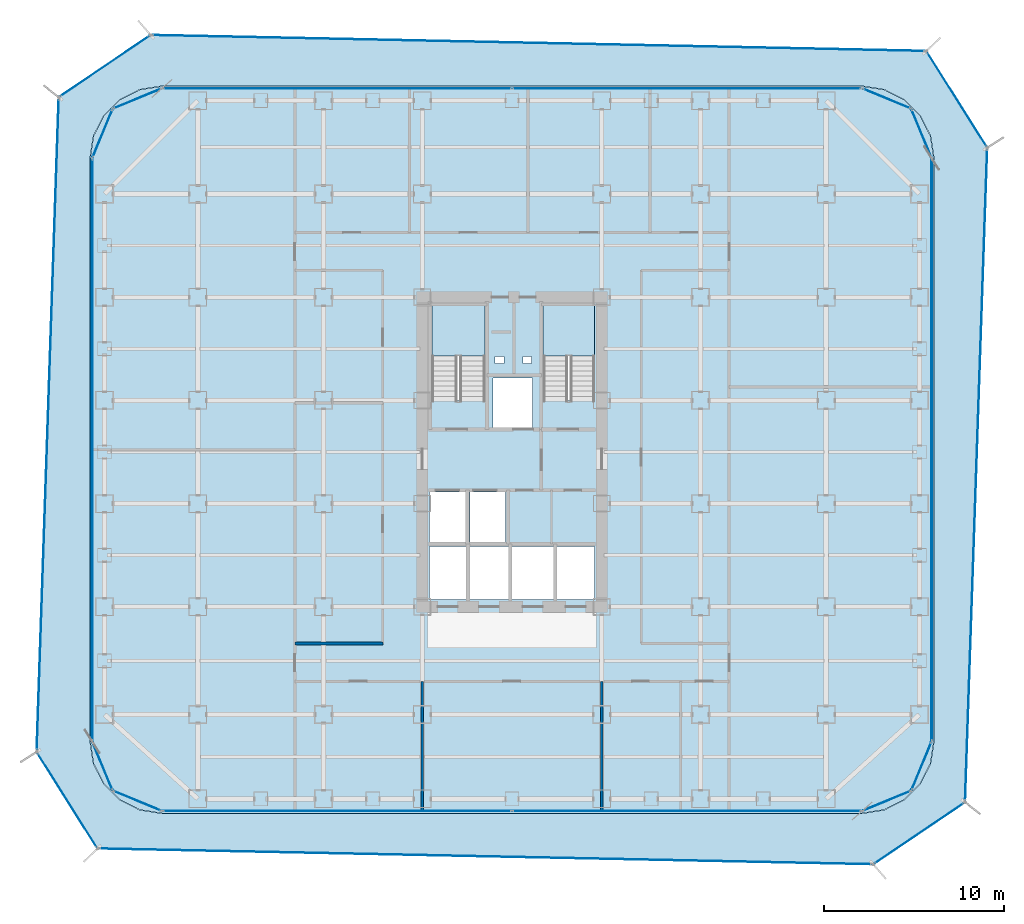
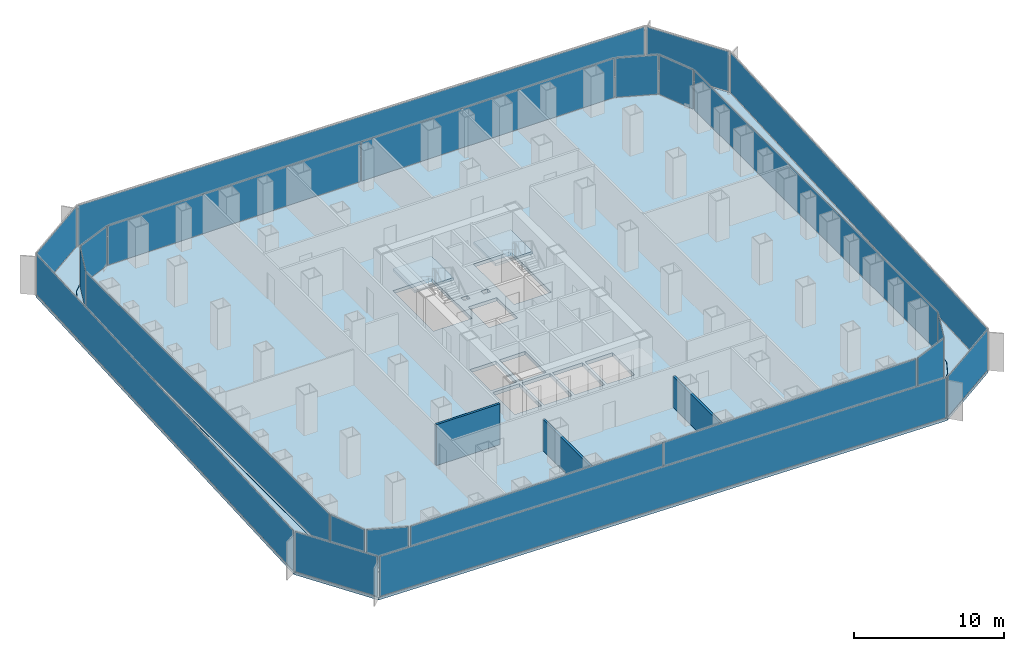
# One storey, part 16 of 21: 22 plates, 4 slabs, 3 walls, 22 elements without a shape of their own.
"""IFC4 building model written with IfcOpenShell, lengths in metres."""

from ifc_helpers import new_model, si_unit, direction, frame, frame_2d, origin, origin_2d, place, context, subcontext, project, spatial, polyline, rectangle, outline, extrude, source, transform, mapped, material, layer, layer_set, type_object, element, aggregate, save


model = new_model("IFC4")

# Units and contexts
model_context = context("Model", 3, precision=1e-05, world=origin(), true_north=direction((0.0, 1.0)))
body_context = subcontext(model_context, "Body", "Model", "MODEL_VIEW")
ifc_project = project(units=[si_unit("LENGTHUNIT", "METRE"), si_unit("AREAUNIT", "SQUARE_METRE"), si_unit("VOLUMEUNIT", "CUBIC_METRE"), si_unit("PLANEANGLEUNIT", "RADIAN"), si_unit("MASSUNIT", "GRAM", prefix="KILO")], contexts=[model_context])

# Site, building, storey
site_placement = place(None, origin())
site = spatial("IfcSite", under=ifc_project, at=site_placement, CompositionType="ELEMENT")
building_placement = place(site_placement, origin())
building = spatial("IfcBuilding", under=site, at=building_placement, Name="Kolveth Station Tower", CompositionType="ELEMENT")
storey_placement = place(building_placement, frame((0.0, 0.0, 29.699951171875)))
storey = spatial("IfcBuildingStorey", under=building, at=storey_placement, Name="L07", CompositionType="ELEMENT", Elevation=29.699951171875)

# Slab
ifc_material_1 = material(Name="Concrete C45/55", Category="concrete")
ifc_layer_1 = layer(ifc_material_1, 0.280029296875)
ifc_layer_set_1 = layer_set([ifc_layer_1], Name="Concrete C45/55")
slab_type_1 = type_object("IfcSlabType", Name="Slab_SF-280", PredefinedType="FLOOR", material=ifc_layer_set_1)
slab_1_placement = place(storey_placement, frame((0.0, 0.0, -0.280029296875)))
element("IfcSlab", 1, at=slab_1_placement, inside=storey, type_object=slab_type_1, Name="L07 Tower Structural Floor Slab", PredefinedType="FLOOR", context=body_context, shape_type="SweptSolid", body=[
    extrude(outline(polyline([(43.0, 0.0), (44.236083984375, 0.19580078125), (45.35107421875, 0.763916015625), (46.236083984375, 1.64892578125), (46.80419921875, 2.763916015625), (47.0, 4.0), (47.0, 36.5), (46.80419921875, 37.736083984375), (46.236083984375, 38.85107421875), (45.35107421875, 39.736083984375), (44.236083984375, 40.30419921875), (43.0, 40.5), (4.0, 40.5), (2.763916015625, 40.30419921875), (1.64892578125, 39.736083984375), (0.763916015625, 38.85107421875), (0.19580078125, 37.736083984375), (0.0, 36.5), (0.0, 4.0), (0.19580078125, 2.763916015625), (0.763916015625, 1.64892578125), (1.64892578125, 0.763916015625), (2.763916015625, 0.19580078125), (4.0, 0.0), (43.0, 0.0)]), holes=[polyline([(19.0400390625, 22.985107421875), (22.0, 22.985107421875), (22.0, 28.39990234375), (19.0400390625, 28.39990234375), (19.0400390625, 22.985107421875)]), polyline([(25.239990234375, 22.985107421875), (28.10009765625, 22.985107421875), (28.10009765625, 28.39990234375), (25.239990234375, 28.39990234375), (25.239990234375, 22.985107421875)]), polyline([(18.89990234375, 15.10009765625), (20.89990234375, 15.10009765625), (20.89990234375, 17.89990234375), (18.89990234375, 17.89990234375), (18.89990234375, 15.10009765625)]), polyline([(21.14990234375, 15.10009765625), (23.14990234375, 15.10009765625), (23.14990234375, 17.89990234375), (21.14990234375, 17.89990234375), (21.14990234375, 15.10009765625)]), polyline([(22.449951171875, 21.5), (24.64990234375, 21.5), (24.64990234375, 24.25), (22.449951171875, 24.25), (22.449951171875, 21.5)]), polyline([(18.89990234375, 11.89990234375), (20.949951171875, 11.89990234375), (20.949951171875, 14.85009765625), (18.89990234375, 14.85009765625), (18.89990234375, 11.89990234375)]), polyline([(21.14990234375, 11.89990234375), (23.300048828125, 11.89990234375), (23.300048828125, 14.85009765625), (21.14990234375, 14.85009765625), (21.14990234375, 11.89990234375)]), polyline([(23.5, 11.89990234375), (25.800048828125, 11.89990234375), (25.800048828125, 14.85009765625), (23.5, 14.85009765625), (23.5, 11.89990234375)]), polyline([(26.0, 11.89990234375), (28.10009765625, 11.89990234375), (28.10009765625, 14.85009765625), (26.0, 14.85009765625), (26.0, 11.89990234375)]), polyline([(22.550048828125, 25.050048828125), (23.050048828125, 25.050048828125), (23.050048828125, 25.449951171875), (22.550048828125, 25.449951171875), (22.550048828125, 25.050048828125)]), polyline([(24.10009765625, 25.050048828125), (24.60009765625, 25.050048828125), (24.60009765625, 25.449951171875), (24.10009765625, 25.449951171875), (24.10009765625, 25.050048828125)])]), origin(), (0.0, 0.0, 1.0), 0.280029296875),
])

# Stair, slab
ifc_material_2 = material(Name="Concrete C40/50", Category="concrete")
stair_type_1 = type_object("IfcStairType", Name="Stair_ST2", PredefinedType="HALF_TURN_STAIR", material=ifc_material_2)
stair_1_placement = place(storey_placement, origin())
stair_1 = element("IfcStair", 2, at=stair_1_placement, inside=storey, type_object=stair_type_1, Name="L07 Tower Exit Stair ST2", PredefinedType="HALF_TURN_STAIR")
ifc_layer_2 = layer(ifc_material_2, 0.18994140625)
ifc_layer_set_2 = layer_set([ifc_layer_2], Name="Concrete C40/50")
slab_type_2 = type_object("IfcSlabType", Name="Slab_SL-190", PredefinedType="LANDING", material=ifc_layer_set_2)
slab_2_placement = place(storey_placement, frame((0.0, 0.0, 1.60009765625)))
slab_2 = element("IfcSlab", 3, at=slab_2_placement, type_object=slab_type_2, Name="ST2 landing 1", PredefinedType="LANDING", context=body_context, shape_type="SweptSolid", body=[
    extrude(outline(polyline([(28.10009765625, 25.469970703125), (28.10009765625, 28.39990234375), (25.239990234375, 28.39990234375), (25.239990234375, 25.469970703125), (28.10009765625, 25.469970703125)])), origin(), (0.0, 0.0, 1.0), 0.199951171875),
])
aggregate(stair_1, [slab_2])

stair_type_2 = type_object("IfcStairType", Name="Stair_ST1", PredefinedType="HALF_TURN_STAIR", material=ifc_material_2)
stair_2_placement = place(storey_placement, origin())
stair_2 = element("IfcStair", 4, at=stair_2_placement, inside=storey, type_object=stair_type_2, Name="L07 Tower Exit Stair ST1", PredefinedType="HALF_TURN_STAIR")
ifc_layer_3 = layer(ifc_material_2, 0.205078125)
ifc_layer_set_3 = layer_set([ifc_layer_3], Name="Concrete C40/50")
slab_type_3 = type_object("IfcSlabType", Name="Slab_SL-205", PredefinedType="LANDING", material=ifc_layer_set_3)
slab_3_placement = place(storey_placement, frame((0.0, 0.0, 1.60009765625)))
slab_3 = element("IfcSlab", 5, at=slab_3_placement, type_object=slab_type_3, Name="ST1 landing 1", PredefinedType="LANDING", context=body_context, shape_type="SweptSolid", body=[
    extrude(outline(polyline([(22.0, 25.469970703125), (22.0, 28.39990234375), (19.0400390625, 28.39990234375), (19.0400390625, 25.469970703125), (22.0, 25.469970703125)])), origin(), (0.0, 0.0, 1.0), 0.199951171875),
])
aggregate(stair_2, [slab_3])

# Slab
ifc_layer_4 = layer(ifc_material_2, 0.2099609375)
ifc_layer_set_4 = layer_set([ifc_layer_4], Name="Concrete C40/50")
slab_type_4 = type_object("IfcSlabType", Name="Slab_ST-210", PredefinedType="FLOOR", material=ifc_layer_set_4)
slab_4_placement = place(storey_placement, frame((0.0, 0.0, -0.2099609375)))
element("IfcSlab", 6, at=slab_4_placement, inside=storey, type_object=slab_type_4, Name="L07 Double-Skin Cavity Structural Ledger Ring", PredefinedType="FLOOR", context=body_context, shape_type="SweptSolid", body=[
    extrude(outline(polyline([(0.4111328125, -1.96630859375), (-2.977294921875, 3.41650390625), (-1.74658203125, 39.888916015625), (3.373779296875, 43.35107421875), (46.58544921875, 42.46044921875), (49.977294921875, 37.08349609375), (48.7412109375, 0.614013671875), (43.62548828125, -2.84521484375), (0.4111328125, -1.96630859375)]), holes=[polyline([(43.002197265625, -0.014892578125), (44.23828125, 0.180908203125), (44.242919921875, 0.182373046875), (45.35791015625, 0.75048828125), (45.36181640625, 0.75341796875), (46.24658203125, 1.63818359375), (46.24951171875, 1.64208984375), (46.817626953125, 2.757080078125), (46.819091796875, 2.76171875), (47.014892578125, 3.997802734375), (47.014892578125, 4.0), (47.014892578125, 36.5), (47.014892578125, 36.502197265625), (46.819091796875, 37.73828125), (46.817626953125, 37.742919921875), (46.24951171875, 38.85791015625), (46.24658203125, 38.86181640625), (45.36181640625, 39.74658203125), (45.35791015625, 39.74951171875), (44.242919921875, 40.317626953125), (44.23828125, 40.319091796875), (43.002197265625, 40.514892578125), (43.0, 40.514892578125), (4.0, 40.514892578125), (3.997802734375, 40.514892578125), (2.76171875, 40.319091796875), (2.757080078125, 40.317626953125), (1.64208984375, 39.74951171875), (1.63818359375, 39.74658203125), (0.75341796875, 38.86181640625), (0.75048828125, 38.85791015625), (0.182373046875, 37.742919921875), (0.180908203125, 37.73828125), (-0.014892578125, 36.502197265625), (-0.014892578125, 36.5), (-0.014892578125, 4.0), (-0.014892578125, 3.997802734375), (0.180908203125, 2.76171875), (0.182373046875, 2.757080078125), (0.75048828125, 1.64208984375), (0.75341796875, 1.63818359375), (1.63818359375, 0.75341796875), (1.64208984375, 0.75048828125), (2.757080078125, 0.182373046875), (2.76171875, 0.180908203125), (3.997802734375, -0.014892578125), (4.0, -0.014892578125), (43.0, -0.014892578125), (43.002197265625, -0.014892578125)])]), origin(), (0.0, 0.0, 1.0), 0.2099609375),
])

# Curtain wall, plate
ifc_material_3 = material(Name="Aluminium 6063-T6 and low-E dark glass", Category="aluminium")
ifc_layer_5 = layer(ifc_material_3, 0.179931640625)
ifc_layer_set_5 = layer_set([ifc_layer_5], Name="Aluminium 6063-T6 and low-E dark glass")
curtain_wall_type_1 = type_object("IfcCurtainWallType", Name="CurtainWall_CW-Z1", PredefinedType="NOTDEFINED", material=ifc_layer_set_5)
curtain_wall_1_placement = place(storey_placement, origin())
curtain_wall_1 = element("IfcCurtainWall", 7, at=curtain_wall_1_placement, inside=storey, type_object=curtain_wall_type_1, Name="L07 Inner Thermal Curtain Wall 1", PredefinedType="NOTDEFINED")
ifc_material_4 = material(Name="Architectural low-E dark glass", Category="glass")
ifc_layer_6 = layer(ifc_material_4, 0.035888671875)
ifc_layer_set_6 = layer_set([ifc_layer_6], Name="Architectural low-E dark glass")
plate_type_1 = type_object("IfcPlateType", Name="Panel_GL1", PredefinedType="CURTAIN_PANEL", material=ifc_layer_set_6)
shared_shape_1 = source(origin(), body_context, "Body", "SweptSolid", [
    extrude(rectangle(XDim=2.83349609375, YDim=0.035888671875, at=origin_2d()), origin(), (0.0, 0.0, 1.0), 3.18408203125),
])
plate_1_placement = place(storey_placement, frame((44.371826171875, 0.688232421875, 0.068115234375), z_axis=(0.0, 0.0, 1.0), x_axis=(0.923883857728, 0.382672990201, 0.0)))
plate_1 = element("IfcPlate", 8, at=plate_1_placement, type_object=plate_type_1, Name="CW-Z1 panel 1.1", PredefinedType="CURTAIN_PANEL", context=body_context, shape_type="MappedRepresentation", body=[
    mapped(shared_shape_1, transform((0.0, 0.0, 0.0), x_axis=(1.0, 0.0, 0.0), y_axis=(0.0, 1.0, 0.0), z_axis=(0.0, 0.0, 1.0), scale=1.0)),
])
aggregate(curtain_wall_1, [plate_1])

curtain_wall_2_placement = place(storey_placement, origin())
curtain_wall_2 = element("IfcCurtainWall", 9, at=curtain_wall_2_placement, inside=storey, type_object=curtain_wall_type_1, Name="L07 Inner Thermal Curtain Wall 2", PredefinedType="NOTDEFINED")
plate_2_placement = place(storey_placement, frame((46.311767578125, 2.628173828125, 0.068115234375), z_axis=(0.0, 0.0, 1.0), x_axis=(0.382672990201, 0.923883857728, 0.0)))
plate_2 = element("IfcPlate", 10, at=plate_2_placement, type_object=plate_type_1, Name="CW-Z1 panel 1.1", PredefinedType="CURTAIN_PANEL", context=body_context, shape_type="MappedRepresentation", body=[
    mapped(shared_shape_1, transform((0.0, 0.0, 0.0), x_axis=(1.0, 0.0, 0.0), y_axis=(0.0, 1.0, 0.0), z_axis=(0.0, 0.0, 1.0), scale=1.0)),
])
aggregate(curtain_wall_2, [plate_2])

curtain_wall_3_placement = place(storey_placement, origin())
curtain_wall_3 = element("IfcCurtainWall", 11, at=curtain_wall_3_placement, inside=storey, type_object=curtain_wall_type_1, Name="L07 Inner Thermal Curtain Wall 4", PredefinedType="NOTDEFINED")
plate_3_placement = place(storey_placement, frame((46.311767578125, 37.871826171875, 0.068115234375), z_axis=(0.0, 0.0, 1.0), x_axis=(-0.382672990201, 0.923883857728, 0.0)))
plate_3 = element("IfcPlate", 12, at=plate_3_placement, type_object=plate_type_1, Name="CW-Z1 panel 1.1", PredefinedType="CURTAIN_PANEL", context=body_context, shape_type="MappedRepresentation", body=[
    mapped(shared_shape_1, transform((0.0, 0.0, 0.0), x_axis=(1.0, 0.0, 0.0), y_axis=(0.0, 1.0, 0.0), z_axis=(0.0, 0.0, 1.0), scale=1.0)),
])
aggregate(curtain_wall_3, [plate_3])

curtain_wall_4_placement = place(storey_placement, origin())
curtain_wall_4 = element("IfcCurtainWall", 13, at=curtain_wall_4_placement, inside=storey, type_object=curtain_wall_type_1, Name="L07 Inner Thermal Curtain Wall 5", PredefinedType="NOTDEFINED")
plate_4_placement = place(storey_placement, frame((44.371826171875, 39.811767578125, 0.068115234375), z_axis=(0.0, 0.0, 1.0), x_axis=(-0.923883857728, 0.382672990201, 0.0)))
plate_4 = element("IfcPlate", 14, at=plate_4_placement, type_object=plate_type_1, Name="CW-Z1 panel 1.1", PredefinedType="CURTAIN_PANEL", context=body_context, shape_type="MappedRepresentation", body=[
    mapped(shared_shape_1, transform((0.0, 0.0, 0.0), x_axis=(1.0, 0.0, 0.0), y_axis=(0.0, 1.0, 0.0), z_axis=(0.0, 0.0, 1.0), scale=1.0)),
])
aggregate(curtain_wall_4, [plate_4])

curtain_wall_5_placement = place(storey_placement, origin())
curtain_wall_5 = element("IfcCurtainWall", 15, at=curtain_wall_5_placement, inside=storey, type_object=curtain_wall_type_1, Name="L07 Inner Thermal Curtain Wall 7", PredefinedType="NOTDEFINED")
plate_5_placement = place(storey_placement, frame((2.628173828125, 39.811767578125, 0.068115234375), z_axis=(0.0, 0.0, 1.0), x_axis=(-0.923883857728, -0.382672990201, 0.0)))
plate_5 = element("IfcPlate", 16, at=plate_5_placement, type_object=plate_type_1, Name="CW-Z1 panel 1.1", PredefinedType="CURTAIN_PANEL", context=body_context, shape_type="MappedRepresentation", body=[
    mapped(shared_shape_1, transform((0.0, 0.0, 0.0), x_axis=(1.0, 0.0, 0.0), y_axis=(0.0, 1.0, 0.0), z_axis=(0.0, 0.0, 1.0), scale=1.0)),
])
aggregate(curtain_wall_5, [plate_5])

curtain_wall_6_placement = place(storey_placement, origin())
curtain_wall_6 = element("IfcCurtainWall", 17, at=curtain_wall_6_placement, inside=storey, type_object=curtain_wall_type_1, Name="L07 Inner Thermal Curtain Wall 8", PredefinedType="NOTDEFINED")
plate_6_placement = place(storey_placement, frame((0.688232421875, 37.871826171875, 0.068115234375), z_axis=(0.0, 0.0, 1.0), x_axis=(-0.382672990201, -0.923883857728, 0.0)))
plate_6 = element("IfcPlate", 18, at=plate_6_placement, type_object=plate_type_1, Name="CW-Z1 panel 1.1", PredefinedType="CURTAIN_PANEL", context=body_context, shape_type="MappedRepresentation", body=[
    mapped(shared_shape_1, transform((0.0, 0.0, 0.0), x_axis=(1.0, 0.0, 0.0), y_axis=(0.0, 1.0, 0.0), z_axis=(0.0, 0.0, 1.0), scale=1.0)),
])
aggregate(curtain_wall_6, [plate_6])

curtain_wall_7_placement = place(storey_placement, origin())
curtain_wall_7 = element("IfcCurtainWall", 19, at=curtain_wall_7_placement, inside=storey, type_object=curtain_wall_type_1, Name="L07 Inner Thermal Curtain Wall 10", PredefinedType="NOTDEFINED")
plate_7_placement = place(storey_placement, frame((0.688232421875, 2.628173828125, 0.068115234375), z_axis=(0.0, 0.0, 1.0), x_axis=(0.382672990201, -0.923883857728, 0.0)))
plate_7 = element("IfcPlate", 20, at=plate_7_placement, type_object=plate_type_1, Name="CW-Z1 panel 1.1", PredefinedType="CURTAIN_PANEL", context=body_context, shape_type="MappedRepresentation", body=[
    mapped(shared_shape_1, transform((0.0, 0.0, 0.0), x_axis=(1.0, 0.0, 0.0), y_axis=(0.0, 1.0, 0.0), z_axis=(0.0, 0.0, 1.0), scale=1.0)),
])
aggregate(curtain_wall_7, [plate_7])

curtain_wall_8_placement = place(storey_placement, origin())
curtain_wall_8 = element("IfcCurtainWall", 21, at=curtain_wall_8_placement, inside=storey, type_object=curtain_wall_type_1, Name="L07 Inner Thermal Curtain Wall 11", PredefinedType="NOTDEFINED")
plate_8_placement = place(storey_placement, frame((2.628173828125, 0.688232421875, 0.068115234375), z_axis=(0.0, 0.0, 1.0), x_axis=(0.923883857728, -0.382672990201, 0.0)))
plate_8 = element("IfcPlate", 22, at=plate_8_placement, type_object=plate_type_1, Name="CW-Z1 panel 1.1", PredefinedType="CURTAIN_PANEL", context=body_context, shape_type="MappedRepresentation", body=[
    mapped(shared_shape_1, transform((0.0, 0.0, 0.0), x_axis=(1.0, 0.0, 0.0), y_axis=(0.0, 1.0, 0.0), z_axis=(0.0, 0.0, 1.0), scale=1.0)),
])
aggregate(curtain_wall_8, [plate_8])

curtain_wall_9_placement = place(storey_placement, origin())
curtain_wall_9 = element("IfcCurtainWall", 23, at=curtain_wall_9_placement, inside=storey, type_object=curtain_wall_type_1, Name="L07 Inner Thermal Curtain Wall 3", PredefinedType="NOTDEFINED")
shared_shape_2 = source(origin(), body_context, "Body", "SweptSolid", [
    extrude(rectangle(XDim=32.364013671875, YDim=0.035888671875, at=origin_2d()), origin(), (0.0, 0.0, 1.0), 3.18408203125),
])
plate_9_placement = place(storey_placement, frame((46.8798828125, 20.25, 0.068115234375), z_axis=(0.0, 0.0, 1.0), x_axis=(0.0, 1.0, 0.0)))
plate_9 = element("IfcPlate", 24, at=plate_9_placement, type_object=plate_type_1, Name="CW-Z1 panel 1.1", PredefinedType="CURTAIN_PANEL", context=body_context, shape_type="MappedRepresentation", body=[
    mapped(shared_shape_2, transform((0.0, 0.0, 0.0), x_axis=(1.0, 0.0, 0.0), y_axis=(0.0, 1.0, 0.0), z_axis=(0.0, 0.0, 1.0), scale=1.0)),
])
aggregate(curtain_wall_9, [plate_9])

curtain_wall_10_placement = place(storey_placement, origin())
curtain_wall_10 = element("IfcCurtainWall", 25, at=curtain_wall_10_placement, inside=storey, type_object=curtain_wall_type_1, Name="L07 Inner Thermal Curtain Wall 9", PredefinedType="NOTDEFINED")
plate_10_placement = place(storey_placement, frame((0.1201171875, 20.25, 0.068115234375), z_axis=(0.0, 0.0, 1.0), x_axis=(0.0, -1.0, 0.0)))
plate_10 = element("IfcPlate", 26, at=plate_10_placement, type_object=plate_type_1, Name="CW-Z1 panel 1.1", PredefinedType="CURTAIN_PANEL", context=body_context, shape_type="MappedRepresentation", body=[
    mapped(shared_shape_2, transform((0.0, 0.0, 0.0), x_axis=(1.0, 0.0, 0.0), y_axis=(0.0, 1.0, 0.0), z_axis=(0.0, 0.0, 1.0), scale=1.0)),
])
aggregate(curtain_wall_10, [plate_10])

# Curtain wall, plates
curtain_wall_11_placement = place(storey_placement, origin())
curtain_wall_11 = element("IfcCurtainWall", 27, at=curtain_wall_11_placement, inside=storey, type_object=curtain_wall_type_1, Name="L07 Inner Thermal Curtain Wall 6", PredefinedType="NOTDEFINED")
shared_shape_3 = source(origin(), body_context, "Body", "SweptSolid", [
    extrude(rectangle(XDim=19.401611328125, YDim=0.035888671875, at=origin_2d()), origin(), (0.0, 0.0, 1.0), 3.18408203125),
])
plate_11_placement = place(storey_placement, frame((33.231201171875, 40.3798828125, 0.068115234375), z_axis=(0.0, 0.0, 1.0), x_axis=(-1.0, 0.0, 0.0)))
plate_11 = element("IfcPlate", 28, at=plate_11_placement, type_object=plate_type_1, Name="CW-Z1 panel 1.1", PredefinedType="CURTAIN_PANEL", context=body_context, shape_type="MappedRepresentation", body=[
    mapped(shared_shape_3, transform((0.0, 0.0, 0.0), x_axis=(1.0, 0.0, 0.0), y_axis=(0.0, 1.0, 0.0), z_axis=(0.0, 0.0, 1.0), scale=1.0)),
])
plate_12_placement = place(storey_placement, frame((13.768798828125, 40.3798828125, 0.068115234375), z_axis=(0.0, 0.0, 1.0), x_axis=(-1.0, 0.0, 0.0)))
plate_12 = element("IfcPlate", 29, at=plate_12_placement, type_object=plate_type_1, Name="CW-Z1 panel 2.1", PredefinedType="CURTAIN_PANEL", context=body_context, shape_type="MappedRepresentation", body=[
    mapped(shared_shape_3, transform((0.0, 0.0, 0.0), x_axis=(1.0, 0.0, 0.0), y_axis=(0.0, 1.0, 0.0), z_axis=(0.0, 0.0, 1.0), scale=1.0)),
])
aggregate(curtain_wall_11, [plate_11, plate_12])

curtain_wall_12_placement = place(storey_placement, origin())
curtain_wall_12 = element("IfcCurtainWall", 30, at=curtain_wall_12_placement, inside=storey, type_object=curtain_wall_type_1, Name="L07 Inner Thermal Curtain Wall 12", PredefinedType="NOTDEFINED")
plate_13_placement = place(storey_placement, frame((13.768798828125, 0.1201171875, 0.068115234375), z_axis=(0.0, 0.0, 1.0), x_axis=(1.0, 0.0, 0.0)))
plate_13 = element("IfcPlate", 31, at=plate_13_placement, type_object=plate_type_1, Name="CW-Z1 panel 1.1", PredefinedType="CURTAIN_PANEL", context=body_context, shape_type="MappedRepresentation", body=[
    mapped(shared_shape_3, transform((0.0, 0.0, 0.0), x_axis=(1.0, 0.0, 0.0), y_axis=(0.0, 1.0, 0.0), z_axis=(0.0, 0.0, 1.0), scale=1.0)),
])
plate_14_placement = place(storey_placement, frame((33.231201171875, 0.1201171875, 0.068115234375), z_axis=(0.0, 0.0, 1.0), x_axis=(1.0, 0.0, 0.0)))
plate_14 = element("IfcPlate", 32, at=plate_14_placement, type_object=plate_type_1, Name="CW-Z1 panel 2.1", PredefinedType="CURTAIN_PANEL", context=body_context, shape_type="MappedRepresentation", body=[
    mapped(shared_shape_3, transform((0.0, 0.0, 0.0), x_axis=(1.0, 0.0, 0.0), y_axis=(0.0, 1.0, 0.0), z_axis=(0.0, 0.0, 1.0), scale=1.0)),
])
aggregate(curtain_wall_12, [plate_13, plate_14])

# Curtain wall, plate
ifc_material_5 = material(Name="Black anodized aluminium 6063-T6 and dark solar glass", Category="aluminium")
ifc_layer_7 = layer(ifc_material_5, 0.159912109375)
ifc_layer_set_7 = layer_set([ifc_layer_7], Name="Black anodized aluminium 6063-T6 and dark solar glass")
curtain_wall_type_2 = type_object("IfcCurtainWallType", Name="OUTER SKIN CW-OS", PredefinedType="NOTDEFINED", material=ifc_layer_set_7)
curtain_wall_13_placement = place(storey_placement, origin())
curtain_wall_13 = element("IfcCurtainWall", 33, at=curtain_wall_13_placement, inside=storey, type_object=curtain_wall_type_2, Name="L07 Outer Ventilated Skin Curtain Wall 1", PredefinedType="NOTDEFINED")
ifc_layer_8 = layer(ifc_material_4, 0.028076171875)
ifc_layer_set_8 = layer_set([ifc_layer_8], Name="Architectural low-E dark glass")
plate_type_2 = type_object("IfcPlateType", Name="Panel_GL-OS", PredefinedType="CURTAIN_PANEL", material=ifc_layer_set_8)
shared_shape_4 = source(origin(), body_context, "Body", "SweptSolid", [
    extrude(rectangle(XDim=6.009521484375, YDim=0.028076171875, at=origin_2d()), origin(), (0.0, 0.0, 1.0), 3.243896484375),
])
plate_15_placement = place(storey_placement, frame((46.183349609375, -1.11572265625, 0.0732421875), z_axis=(0.0, 0.0, 1.0), x_axis=(0.828387724159, 0.560155137852, 0.0)))
plate_15 = element("IfcPlate", 34, at=plate_15_placement, type_object=plate_type_2, Name="CW-OS panel 1.1", PredefinedType="CURTAIN_PANEL", context=body_context, shape_type="MappedRepresentation", body=[
    mapped(shared_shape_4, transform((0.0, 0.0, 0.0), x_axis=(1.0, 0.0, 0.0), y_axis=(0.0, 1.0, 0.0), z_axis=(0.0, 0.0, 1.0), scale=1.0)),
])
aggregate(curtain_wall_13, [plate_15])

curtain_wall_14_placement = place(storey_placement, origin())
curtain_wall_14 = element("IfcCurtainWall", 35, at=curtain_wall_14_placement, inside=storey, type_object=curtain_wall_type_2, Name="L07 Outer Ventilated Skin Curtain Wall 2", PredefinedType="NOTDEFINED")
shared_shape_5 = source(origin(), body_context, "Body", "SweptSolid", [
    extrude(rectangle(XDim=36.32421875, YDim=0.028076171875, at=origin_2d()), origin(), (0.0, 0.0, 1.0), 3.243896484375),
])
plate_16_placement = place(storey_placement, frame((49.359375, 18.8486328125, 0.0732421875), z_axis=(0.0, 0.0, 1.0), x_axis=(0.033874716513, 0.999426087103, 0.0)))
plate_16 = element("IfcPlate", 36, at=plate_16_placement, type_object=plate_type_2, Name="CW-OS panel 1.1", PredefinedType="CURTAIN_PANEL", context=body_context, shape_type="MappedRepresentation", body=[
    mapped(shared_shape_5, transform((0.0, 0.0, 0.0), x_axis=(1.0, 0.0, 0.0), y_axis=(0.0, 1.0, 0.0), z_axis=(0.0, 0.0, 1.0), scale=1.0)),
])
aggregate(curtain_wall_14, [plate_16])

curtain_wall_15_placement = place(storey_placement, origin())
curtain_wall_15 = element("IfcCurtainWall", 37, at=curtain_wall_15_placement, inside=storey, type_object=curtain_wall_type_2, Name="L07 Outer Ventilated Skin Curtain Wall 3", PredefinedType="NOTDEFINED")
shared_shape_6 = source(origin(), body_context, "Body", "SweptSolid", [
    extrude(rectangle(XDim=6.19140625, YDim=0.028076171875, at=origin_2d()), origin(), (0.0, 0.0, 1.0), 3.243896484375),
])
plate_17_placement = place(storey_placement, frame((48.281494140625, 39.77197265625, 0.0732421875), z_axis=(0.0, 0.0, 1.0), x_axis=(-0.533524797003, 0.845784423469, 0.0)))
plate_17 = element("IfcPlate", 38, at=plate_17_placement, type_object=plate_type_2, Name="CW-OS panel 1.1", PredefinedType="CURTAIN_PANEL", context=body_context, shape_type="MappedRepresentation", body=[
    mapped(shared_shape_6, transform((0.0, 0.0, 0.0), x_axis=(1.0, 0.0, 0.0), y_axis=(0.0, 1.0, 0.0), z_axis=(0.0, 0.0, 1.0), scale=1.0)),
])
aggregate(curtain_wall_15, [plate_17])

curtain_wall_16_placement = place(storey_placement, origin())
curtain_wall_16 = element("IfcCurtainWall", 39, at=curtain_wall_16_placement, inside=storey, type_object=curtain_wall_type_2, Name="L07 Outer Ventilated Skin Curtain Wall 4", PredefinedType="NOTDEFINED")
shared_shape_7 = source(origin(), body_context, "Body", "SweptSolid", [
    extrude(rectangle(XDim=43.054931640625, YDim=0.028076171875, at=origin_2d()), origin(), (0.0, 0.0, 1.0), 3.243896484375),
])
plate_18_placement = place(storey_placement, frame((24.9794921875, 42.90576171875, 0.0732421875), z_axis=(0.0, 0.0, 1.0), x_axis=(-0.999787679299, 0.020605735172, 0.0)))
plate_18 = element("IfcPlate", 40, at=plate_18_placement, type_object=plate_type_2, Name="CW-OS panel 1.1", PredefinedType="CURTAIN_PANEL", context=body_context, shape_type="MappedRepresentation", body=[
    mapped(shared_shape_7, transform((0.0, 0.0, 0.0), x_axis=(1.0, 0.0, 0.0), y_axis=(0.0, 1.0, 0.0), z_axis=(0.0, 0.0, 1.0), scale=1.0)),
])
aggregate(curtain_wall_16, [plate_18])

curtain_wall_17_placement = place(storey_placement, origin())
curtain_wall_17 = element("IfcCurtainWall", 41, at=curtain_wall_17_placement, inside=storey, type_object=curtain_wall_type_2, Name="L07 Outer Ventilated Skin Curtain Wall 5", PredefinedType="NOTDEFINED")
shared_shape_8 = source(origin(), body_context, "Body", "SweptSolid", [
    extrude(rectangle(XDim=6.014892578125, YDim=0.028076171875, at=origin_2d()), origin(), (0.0, 0.0, 1.0), 3.243896484375),
])
plate_19_placement = place(storey_placement, frame((0.8134765625, 41.6201171875, 0.0732421875), z_axis=(0.0, 0.0, 1.0), x_axis=(-0.828405958944, -0.56012817032, 0.0)))
plate_19 = element("IfcPlate", 42, at=plate_19_placement, type_object=plate_type_2, Name="CW-OS panel 1.1", PredefinedType="CURTAIN_PANEL", context=body_context, shape_type="MappedRepresentation", body=[
    mapped(shared_shape_8, transform((0.0, 0.0, 0.0), x_axis=(1.0, 0.0, 0.0), y_axis=(0.0, 1.0, 0.0), z_axis=(0.0, 0.0, 1.0), scale=1.0)),
])
aggregate(curtain_wall_17, [plate_19])

curtain_wall_18_placement = place(storey_placement, origin())
curtain_wall_18 = element("IfcCurtainWall", 43, at=curtain_wall_18_placement, inside=storey, type_object=curtain_wall_type_2, Name="L07 Outer Ventilated Skin Curtain Wall 6", PredefinedType="NOTDEFINED")
shared_shape_9 = source(origin(), body_context, "Body", "SweptSolid", [
    extrude(rectangle(XDim=36.3271484375, YDim=0.028076171875, at=origin_2d()), origin(), (0.0, 0.0, 1.0), 3.243896484375),
])
plate_20_placement = place(storey_placement, frame((-2.362060546875, 21.65283203125, 0.0732421875), z_axis=(0.0, 0.0, 1.0), x_axis=(-0.033726866954, -0.999431087392, 0.0)))
plate_20 = element("IfcPlate", 44, at=plate_20_placement, type_object=plate_type_2, Name="CW-OS panel 1.1", PredefinedType="CURTAIN_PANEL", context=body_context, shape_type="MappedRepresentation", body=[
    mapped(shared_shape_9, transform((0.0, 0.0, 0.0), x_axis=(1.0, 0.0, 0.0), y_axis=(0.0, 1.0, 0.0), z_axis=(0.0, 0.0, 1.0), scale=1.0)),
])
aggregate(curtain_wall_18, [plate_20])

curtain_wall_19_placement = place(storey_placement, origin())
curtain_wall_19 = element("IfcCurtainWall", 45, at=curtain_wall_19_placement, inside=storey, type_object=curtain_wall_type_2, Name="L07 Outer Ventilated Skin Curtain Wall 7", PredefinedType="NOTDEFINED")
shared_shape_10 = source(origin(), body_context, "Body", "SweptSolid", [
    extrude(rectangle(XDim=6.194580078125, YDim=0.028076171875, at=origin_2d()), origin(), (0.0, 0.0, 1.0), 3.243896484375),
])
plate_21_placement = place(storey_placement, frame((-1.283203125, 0.72509765625, 0.0732421875), z_axis=(0.0, 0.0, 1.0), x_axis=(0.532723616984, -0.846289281456, 0.0)))
plate_21 = element("IfcPlate", 46, at=plate_21_placement, type_object=plate_type_2, Name="CW-OS panel 1.1", PredefinedType="CURTAIN_PANEL", context=body_context, shape_type="MappedRepresentation", body=[
    mapped(shared_shape_10, transform((0.0, 0.0, 0.0), x_axis=(1.0, 0.0, 0.0), y_axis=(0.0, 1.0, 0.0), z_axis=(0.0, 0.0, 1.0), scale=1.0)),
])
aggregate(curtain_wall_19, [plate_21])

curtain_wall_20_placement = place(storey_placement, origin())
curtain_wall_20 = element("IfcCurtainWall", 47, at=curtain_wall_20_placement, inside=storey, type_object=curtain_wall_type_2, Name="L07 Outer Ventilated Skin Curtain Wall 8", PredefinedType="NOTDEFINED")
shared_shape_11 = source(origin(), body_context, "Body", "SweptSolid", [
    extrude(rectangle(XDim=43.057373046875, YDim=0.028076171875, at=origin_2d()), origin(), (0.0, 0.0, 1.0), 3.243896484375),
])
plate_22_placement = place(storey_placement, frame((22.018310546875, -2.40576171875, 0.0732421875), z_axis=(0.0, 0.0, 1.0), x_axis=(0.999793244414, -0.020333923002, 0.0)))
plate_22 = element("IfcPlate", 48, at=plate_22_placement, type_object=plate_type_2, Name="CW-OS panel 1.1", PredefinedType="CURTAIN_PANEL", context=body_context, shape_type="MappedRepresentation", body=[
    mapped(shared_shape_11, transform((0.0, 0.0, 0.0), x_axis=(1.0, 0.0, 0.0), y_axis=(0.0, 1.0, 0.0), z_axis=(0.0, 0.0, 1.0), scale=1.0)),
])
aggregate(curtain_wall_20, [plate_22])

# Walls
ifc_material_6 = material(Name="Acoustic double-stud gypsum partition")
ifc_layer_9 = layer(ifc_material_6, 0.1650390625)
ifc_layer_set_9 = layer_set([ifc_layer_9], Name="Acoustic double-stud gypsum partition")
wall_type = type_object("IfcWallType", Name="Wall_IW-165", PredefinedType="PARTITIONING", material=ifc_layer_set_9)
wall_placement = place(storey_placement, frame((11.39990234375, 9.449951171875, 0.0), z_axis=(0.0, 0.0, 1.0), x_axis=(1.0, 0.0, 0.0)))
element("IfcWall", 49, at=wall_placement, inside=storey, type_object=wall_type, Name="L07 Partition Wall WL-L07-OSWT", PredefinedType="PARTITIONING", context=body_context, shape_type="SweptSolid", body=[
    extrude(rectangle(XDim=4.900146484375, YDim=0.1650390625, at=frame_2d((2.4501953125, 0.0))), origin(), (0.0, 0.0, 1.0), 3.320068359375),
])
for number, where, z_axis, x_axis, name in (
    (50, (18.5, 0.159912109375, 0.0), (0.0, 0.0, 1.0), (0.0, 1.0, 0.0), "L07 Partition Wall WL-L07-OS-P1"),
    (51, (28.5, 0.159912109375, 0.0), (0.0, 0.0, 1.0), (0.0, 1.0, 0.0), "L07 Partition Wall WL-L07-OS-P2"),
):
    element("IfcWall", number, at=place(storey_placement, frame(where, z_axis=z_axis, x_axis=x_axis)), inside=storey, type_object=wall_type, Name=name, PredefinedType="PARTITIONING", context=body_context, shape_type="SweptSolid", body=[
        extrude(rectangle(XDim=7.190185546875, YDim=0.1650390625, at=frame_2d((3.59521484375, 0.0))), origin(), (0.0, 0.0, 1.0), 2.5390625),
    ])

save(model, "model.ifc")
